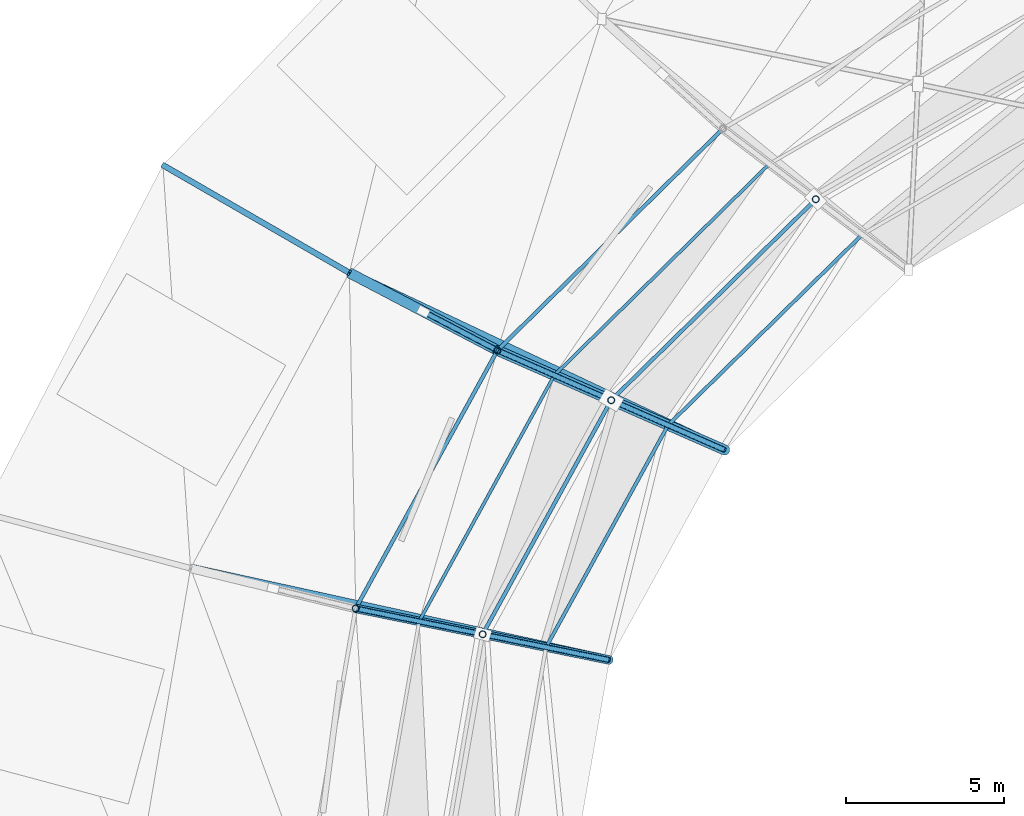
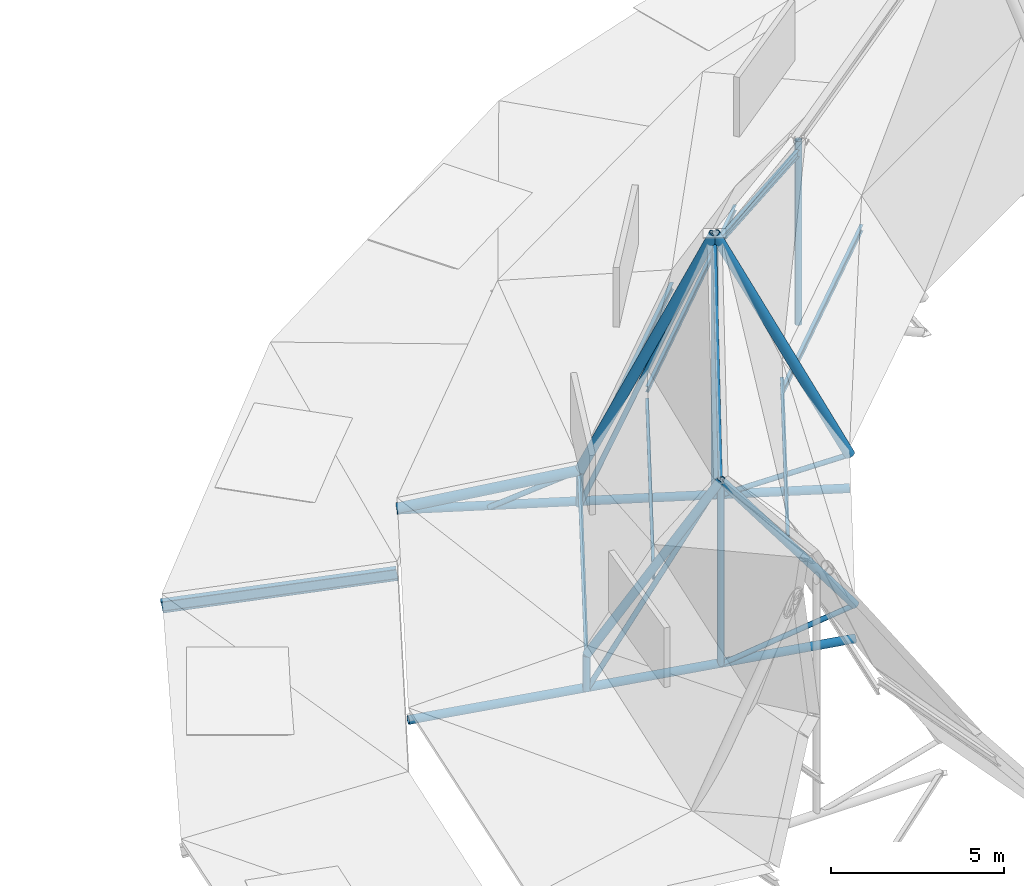
# One storey, part 8 of 36: 23 members, 3 beams.
"""IFC4 building model written with IfcOpenShell, lengths in metres."""

import ifcopenshell
import ifcopenshell.guid

model = None  # the IFC model being written
_history = None  # IfcOwnerHistory: only IFC2X3 demands one
_inside = {}  # id of a spatial element -> (the spatial element, [elements in it])
_under = {}  # id of a project, library or spatial element -> (it, [spatial elements below it])
_declared = {}  # id of a project -> (the project, [libraries it declares])
_typed = {}  # id of a type object -> (the type object, [elements of that type])
_made_of = {}  # id of a material, layer set ... -> (it, [elements and type objects made of it])


def new_model(schema):
    """Start an empty IFC model of exactly this schema.

    Asked for "IFC4X3", IfcOpenShell would pick the latest addendum, in which some entities
    have other attributes; the version numbers below select the first issue.
    IFC2X3 requires an IfcOwnerHistory on every rooted entity: one is made here for all.
    """
    global model, _history
    if schema == "IFC4X3":
        model = ifcopenshell.file(schema_version=(4, 3, 0, 0))
    else:
        model = ifcopenshell.file(schema=schema)
    _inside.clear()
    _under.clear()
    _declared.clear()
    _typed.clear()
    _made_of.clear()
    _history = None
    if model.schema == "IFC2X3":
        org = make("IfcOrganization", Name="unknown")
        user = make(
            "IfcPersonAndOrganization",
            ThePerson=make("IfcPerson", FamilyName="unknown"),
            TheOrganization=org,
        )
        app = make(
            "IfcApplication",
            ApplicationDeveloper=org,
            Version="unknown",
            ApplicationFullName="unknown",
            ApplicationIdentifier="unknown",
        )
        _history = make(
            "IfcOwnerHistory",
            OwningUser=user,
            OwningApplication=app,
            ChangeAction="ADDED",
            CreationDate=0,
        )
    return model


def make(cls, **values):
    """One entity of the class cls with the attributes given. An attribute that is None is left unset."""
    return model.create_entity(
        cls, **{name: value for name, value in values.items() if value is not None}
    )


def rooted(cls, **values):
    """An entity with a GlobalId (a new one), such as an element, a storey or a relation."""
    return make(cls, GlobalId=ifcopenshell.guid.new(), OwnerHistory=_history, **values)


def si_unit(unit_type, name, prefix=None):
    """IfcSIUnit, for example si_unit("LENGTHUNIT", "METRE", prefix="MILLI")."""
    return make("IfcSIUnit", UnitType=unit_type, Prefix=prefix, Name=name)


def assignment(units):
    """IfcUnitAssignment: the units of a project."""
    return None if units is None else make("IfcUnitAssignment", Units=units)


def point(xyz):
    """IfcCartesianPoint."""
    return None if xyz is None else make("IfcCartesianPoint", Coordinates=xyz)


def direction(xyz):
    """IfcDirection."""
    return None if xyz is None else make("IfcDirection", DirectionRatios=xyz)


def frame(location, z_axis=None, x_axis=None):
    """IfcAxis2Placement3D, a coordinate frame: its origin and axes. An axis left out is left unset."""
    return make(
        "IfcAxis2Placement3D",
        Location=point(location),
        Axis=direction(z_axis),
        RefDirection=direction(x_axis),
    )


def frame_2d(location, x_axis=None):
    """IfcAxis2Placement2D, a coordinate frame in the plane: its origin and x axis."""
    return make(
        "IfcAxis2Placement2D", Location=point(location), RefDirection=direction(x_axis)
    )


def origin():
    """The frame at (0, 0, 0) with its axes left unset."""
    return frame((0.0, 0.0, 0.0))


def origin_2d():
    """The frame at (0, 0) in the plane with its x axis left unset."""
    return frame_2d((0.0, 0.0))


def place(relative_to, where):
    """IfcLocalPlacement: puts the frame where relative to a parent placement (None: the world)."""
    return make(
        "IfcLocalPlacement", PlacementRelTo=relative_to, RelativePlacement=where
    )


def context(
    kind, dimensions, precision=None, world=None, true_north=None, identifier=None
):
    """IfcGeometricRepresentationContext, for example the 3D "Model" context."""
    return make(
        "IfcGeometricRepresentationContext",
        ContextIdentifier=identifier,
        ContextType=kind,
        CoordinateSpaceDimension=dimensions,
        Precision=precision,
        WorldCoordinateSystem=world,
        TrueNorth=true_north,
    )


def subcontext(parent, identifier, kind, view, scale=None):
    """IfcGeometricRepresentationSubContext, for example "Body" below "Model"."""
    return make(
        "IfcGeometricRepresentationSubContext",
        ContextIdentifier=identifier,
        ContextType=kind,
        ParentContext=parent,
        TargetScale=scale,
        TargetView=view,
    )


def project(units=None, contexts=None):
    """IfcProject with its units and contexts."""
    return rooted(
        "IfcProject",
        Name="project",
        RepresentationContexts=contexts,
        UnitsInContext=assignment(units),
    )


def spatial(cls, under=None, at=None, **own):
    """A site, building, storey or space (cls), placed at a placement, below another one or the project."""
    s = rooted(cls, ObjectPlacement=at, **own)
    if under is not None:
        _under.setdefault(under.id(), (under, []))[1].append(s)
    return s


def profile(cls, at=None, kind="AREA", **sizes):
    """A parametric profile (cls). Its sizes go by their IFC names, for example OverallWidth=200.0."""
    return make(cls, ProfileType=kind, Position=at, **sizes)


def hollow_circle(**sizes):
    """IfcCircleHollowProfileDef."""
    return profile("IfcCircleHollowProfileDef", **sizes)


def i_section(**sizes):
    """IfcIShapeProfileDef."""
    return profile("IfcIShapeProfileDef", **sizes)


def extrude(swept, where, along, depth):
    """IfcExtrudedAreaSolid: the profile swept, set in the frame where, extruded along a direction by depth."""
    return make(
        "IfcExtrudedAreaSolid",
        SweptArea=swept,
        Position=where,
        ExtrudedDirection=direction(along),
        Depth=depth,
    )


def shape(context_of_items, identifier, shape_type, items):
    """IfcShapeRepresentation: the items that make up one representation, for example the "Body"."""
    return make(
        "IfcShapeRepresentation",
        ContextOfItems=context_of_items,
        RepresentationIdentifier=identifier,
        RepresentationType=shape_type,
        Items=items,
    )


def material(Name=None, Category=None):
    """IfcMaterial."""
    return make("IfcMaterial", Name=Name, Category=Category)


def material_profile(
    of_material, cross_section, Name=None, Category=None, Priority=None
):
    """IfcMaterialProfile: a cross section and its material."""
    return make(
        "IfcMaterialProfile",
        Name=Name,
        Material=of_material,
        Profile=cross_section,
        Priority=Priority,
        Category=Category,
    )


def profile_set(profiles, Name=None, composite=None):
    """IfcMaterialProfileSet."""
    return make(
        "IfcMaterialProfileSet",
        Name=Name,
        MaterialProfiles=profiles,
        CompositeProfile=composite,
    )


def made_of(thing, what):
    """Note that an element or type object is made of a material, layer set ...; save() writes the relation."""
    if what is not None:
        _made_of.setdefault(what.id(), (what, []))[1].append(thing)
    return thing


def type_object(cls, material=None, **own):
    """A type object (cls), such as IfcWallType, which elements share."""
    return made_of(rooted(cls, **own), material)


def element(
    cls,
    number,
    at=None,
    inside=None,
    cuts=None,
    type_object=None,
    material=None,
    context=None,
    identifier="Body",
    shape_type=None,
    held_by="IfcProductDefinitionShape",
    body=None,
    shapes=None,
    **own,
):
    """One element of the class cls, such as IfcWall. Its Tag is "e" and its number.

    at: its placement. inside: the storey or other place that contains it. cuts: it is an
    opening in that element (IfcRelVoidsElement). A single representation is given by context,
    identifier, shape_type and body (its items); several are given by shapes. held_by: the class
    of the entity that holds the representations. save() writes the other relations.
    """
    e = rooted(cls, Tag="e%d" % number, ObjectPlacement=at, **own)
    if body is not None:
        shapes = [shape(context, identifier, shape_type, body)]
    if shapes is not None:
        e.Representation = make(held_by, Representations=shapes)
    if inside is not None:
        _inside.setdefault(inside.id(), (inside, []))[1].append(e)
    if cuts is not None:
        rooted(
            "IfcRelVoidsElement", RelatingBuildingElement=cuts, RelatedOpeningElement=e
        )
    if type_object is not None:
        _typed.setdefault(type_object.id(), (type_object, []))[1].append(e)
    return made_of(e, material)


def aggregate(whole, parts):
    """IfcRelAggregates: a whole, such as a stair, and the parts it consists of."""
    return rooted("IfcRelAggregates", RelatingObject=whole, RelatedObjects=parts)


def save(model, path):
    """Write the relations noted so far, then the file.

    IfcRelAggregates (storeys below a building ...), IfcRelContainedInSpatialStructure (elements
    in a storey), IfcRelDefinesByType, IfcRelAssociatesMaterial and IfcRelDeclares: one each for
    every whole, place, type object, material and project.
    """
    for whole, parts in _under.values():
        aggregate(whole, parts)
    for where, things in _inside.values():
        rooted(
            "IfcRelContainedInSpatialStructure",
            RelatedElements=things,
            RelatingStructure=where,
        )
    for kind, things in _typed.values():
        rooted("IfcRelDefinesByType", RelatedObjects=things, RelatingType=kind)
    for what, things in _made_of.values():
        rooted("IfcRelAssociatesMaterial", RelatedObjects=things, RelatingMaterial=what)
    for by, libraries in _declared.values():
        rooted("IfcRelDeclares", RelatingContext=by, RelatedDefinitions=libraries)
    model.write(path)


model = new_model("IFC4")

# Units and contexts
model_context = context("Model", 3, precision=1e-05, world=origin(), true_north=direction((0.0, 1.0)))
body_context = subcontext(model_context, "Body", "Model", "MODEL_VIEW")
ifc_project = project(units=[si_unit("LENGTHUNIT", "METRE"), si_unit("AREAUNIT", "SQUARE_METRE"), si_unit("VOLUMEUNIT", "CUBIC_METRE"), si_unit("PLANEANGLEUNIT", "RADIAN"), si_unit("MASSUNIT", "GRAM", prefix="KILO")], contexts=[model_context])

# Site, building, storey
site_placement = place(None, origin())
site = spatial("IfcSite", under=ifc_project, at=site_placement, CompositionType="ELEMENT")
building_placement = place(site_placement, origin())
building = spatial("IfcBuilding", under=site, at=building_placement, Name="Kildeholm Park Wholesale Market", CompositionType="ELEMENT")
storey_placement = place(building_placement, frame((0.0, 0.0, 17.39990234375)))
storey = spatial("IfcBuildingStorey", under=building, at=storey_placement, Name="Roof", CompositionType="ELEMENT", Elevation=17.39990234375)

# Beams
ifc_material = material(Name="Steel S355", Category="steel")
ifc_material_profile_1 = material_profile(ifc_material, i_section(OverallWidth=0.179931640625, OverallDepth=0.39990234375, WebThickness=0.008544921875, FlangeThickness=0.013427734375, FilletRadius=0.02099609375, at=origin_2d()), Name="IPE 400")
ifc_profile_set_1 = profile_set([ifc_material_profile_1], Name="Steel S355")
beam_type_1 = type_object("IfcBeamType", Name="Beam B-P01 IPE 400", PredefinedType="BEAM", material=ifc_profile_set_1)
beam_1_placement = place(storey_placement, frame((49.636962890625, 112.25, -8.0244140625), z_axis=(0.853906130286, -0.492993523087, 0.166738438442), x_axis=(0.499992841449, 0.866029536736, 0.0)))
element("IfcBeam", 1, at=beam_1_placement, inside=storey, type_object=beam_type_1, Name="Beam BM-V1-RF-S1-10 BM-0279", PredefinedType="BEAM", context=body_context, shape_type="SweptSolid", body=[
    extrude(i_section(OverallWidth=0.179931640625, OverallDepth=0.39990234375, WebThickness=0.008544921875, FlangeThickness=0.013427734375, FilletRadius=0.02099609375, at=origin_2d()), origin(), (0.0, 0.0, 1.0), 6.896484375),
])
ifc_material_profile_2 = material_profile(ifc_material, hollow_circle(Radius=0.136474609375, WallThickness=0.01611328125, at=origin_2d()), Name="CHS 273x16")
ifc_profile_set_2 = profile_set([ifc_material_profile_2], Name="Steel S355")
beam_type_2 = type_object("IfcBeamType", Name="Beam B-T01 CHS 273x16", PredefinedType="BEAM", material=ifc_profile_set_2)
beam_2_placement = place(storey_placement, frame((55.52587890625, 108.85009765625, -4.6298828125), z_axis=(0.904317894242, -0.426859632846, 0.0), x_axis=(0.426859632846, 0.904317894242, 0.0)))
element("IfcBeam", 2, at=beam_2_placement, inside=storey, type_object=beam_type_2, Name="Beam BM-V1-TIE-10 BM-0284", PredefinedType="BEAM", context=body_context, shape_type="SweptSolid", body=[
    extrude(hollow_circle(Radius=0.136474609375, WallThickness=0.01611328125, at=origin_2d()), origin(), (0.0, 0.0, 1.0), 13.119384765625),
])
beam_3_placement = place(storey_placement, frame((50.510986328125, 99.51611328125, -4.6298828125), z_axis=(0.976846137752, -0.213943037181, 0.0), x_axis=(0.213943037181, 0.976846137752, 0.0)))
element("IfcBeam", 3, at=beam_3_placement, inside=storey, type_object=beam_type_2, Name="Beam BM-V1-TIE-11 BM-0290", PredefinedType="BEAM", context=body_context, shape_type="SweptSolid", body=[
    extrude(hollow_circle(Radius=0.136474609375, WallThickness=0.01611328125, at=origin_2d()), origin(), (0.0, 0.0, 1.0), 13.546630859375),
])

# Members
ifc_material_profile_3 = material_profile(ifc_material, i_section(OverallWidth=0.10009765625, OverallDepth=0.199951171875, WebThickness=0.005615234375, FlangeThickness=0.008544921875, FilletRadius=0.011962890625, at=origin_2d()), Name="IPE 200")
ifc_profile_set_3 = profile_set([ifc_material_profile_3], Name="Steel S355")
member_type_1 = type_object("IfcMemberType", Name="Member PR-01 IPE 200", PredefinedType="PURLIN", material=ifc_profile_set_3)
member_1_placement = place(storey_placement, frame((68.78955078125, 112.285888671875, -0.691650390625), z_axis=(-0.713234317827, -0.70092567928, 0.0), x_axis=(0.70092567928, -0.713234317827, 0.0)))
element("IfcMember", 4, at=member_1_placement, inside=storey, type_object=member_type_1, Name="Member PR-V1-MDO-09 MEM-0128", PredefinedType="PURLIN", context=body_context, shape_type="SweptSolid", body=[
    extrude(i_section(OverallWidth=0.10009765625, OverallDepth=0.199951171875, WebThickness=0.005615234375, FlangeThickness=0.008544921875, FilletRadius=0.011962890625, at=origin_2d()), origin(), (0.0, 0.0, 1.0), 9.520751953125),
])
member_2_placement = place(storey_placement, frame((61.9990234375, 105.612548828125, -1.0849609375), z_axis=(-0.481311912793, -0.876549395415, 0.0), x_axis=(0.876549395415, -0.481311912793, 0.0)))
element("IfcMember", 5, at=member_2_placement, inside=storey, type_object=member_type_1, Name="Member PR-V1-MDO-10 MEM-0140", PredefinedType="PURLIN", context=body_context, shape_type="SweptSolid", body=[
    extrude(i_section(OverallWidth=0.10009765625, OverallDepth=0.199951171875, WebThickness=0.005615234375, FlangeThickness=0.008544921875, FilletRadius=0.011962890625, at=origin_2d()), origin(), (0.0, 0.0, 1.0), 8.866455078125),
])
ifc_material_profile_4 = material_profile(ifc_material, i_section(OverallWidth=0.1201171875, OverallDepth=0.239990234375, WebThickness=0.006103515625, FlangeThickness=0.009765625, FilletRadius=0.014892578125, at=origin_2d()), Name="IPE 240")
ifc_profile_set_4 = profile_set([ifc_material_profile_4], Name="Steel S355")
member_type_2 = type_object("IfcMemberType", Name="Member PR-02 IPE 240", PredefinedType="PURLIN", material=ifc_profile_set_4)
member_3_placement = place(storey_placement, frame((67.322021484375, 113.39990234375, -3.6083984375), z_axis=(-0.713096204455, -0.701066190307, 0.0), x_axis=(0.701066190307, -0.713096204455, 0.0)))
element("IfcMember", 6, at=member_3_placement, inside=storey, type_object=member_type_2, Name="Member PR-V1-STP2-09 MEM-0126", PredefinedType="PURLIN", context=body_context, shape_type="SweptSolid", body=[
    extrude(i_section(OverallWidth=0.1201171875, OverallDepth=0.239990234375, WebThickness=0.006103515625, FlangeThickness=0.009765625, FilletRadius=0.014892578125, at=origin_2d()), origin(), (0.0, 0.0, 1.0), 9.98486328125),
])
member_4_placement = place(storey_placement, frame((70.257080078125, 111.172119140625, 1.418701171875), z_axis=(-0.681551980746, -0.66952535029, 0.295334899497), x_axis=(0.700784698556, -0.713372838191, 0.0)))
element("IfcMember", 7, at=member_4_placement, inside=storey, type_object=member_type_2, Name="Member PR-V1-CRWN-09 MEM-0127", PredefinedType="PURLIN", context=body_context, shape_type="SweptSolid", body=[
    extrude(i_section(OverallWidth=0.1201171875, OverallDepth=0.239990234375, WebThickness=0.006103515625, FlangeThickness=0.009765625, FilletRadius=0.014892578125, at=origin_2d()), origin(), (0.0, 0.0, 1.0), 9.47998046875),
])
member_5_placement = place(storey_placement, frame((60.201904296875, 106.39990234375, -3.586669921875), z_axis=(-0.481203038707, -0.876609169208, 0.0), x_axis=(0.876609169208, -0.481203038707, 0.0)))
element("IfcMember", 8, at=member_5_placement, inside=storey, type_object=member_type_2, Name="Member PR-V1-STP2-10 MEM-0138", PredefinedType="PURLIN", context=body_context, shape_type="SweptSolid", body=[
    extrude(i_section(OverallWidth=0.1201171875, OverallDepth=0.239990234375, WebThickness=0.006103515625, FlangeThickness=0.009765625, FilletRadius=0.014892578125, at=origin_2d()), origin(), (0.0, 0.0, 1.0), 9.29931640625),
])
member_6_placement = place(storey_placement, frame((63.7958984375, 104.824951171875, 4.250244140625), z_axis=(-0.456875430623, -0.831849023572, -0.315106399292), x_axis=(0.876501192801, -0.481399687389, 0.0)))
element("IfcMember", 9, at=member_6_placement, inside=storey, type_object=member_type_2, Name="Member PR-V1-CRWN-10 MEM-0139", PredefinedType="PURLIN", context=body_context, shape_type="SweptSolid", body=[
    extrude(i_section(OverallWidth=0.1201171875, OverallDepth=0.239990234375, WebThickness=0.006103515625, FlangeThickness=0.009765625, FilletRadius=0.014892578125, at=origin_2d()), origin(), (0.0, 0.0, 1.0), 8.885986328125),
])
ifc_material_profile_5 = material_profile(ifc_material, i_section(OverallWidth=0.110107421875, OverallDepth=0.219970703125, WebThickness=0.005859375, FlangeThickness=0.00927734375, FilletRadius=0.011962890625, at=origin_2d()), Name="IPE 220")
ifc_profile_set_5 = profile_set([ifc_material_profile_5], Name="Steel S355")
member_type_3 = type_object("IfcMemberType", Name="Member PR-03 IPE 220", PredefinedType="PURLIN", material=ifc_profile_set_5)
member_7_placement = place(storey_placement, frame((71.72412109375, 110.05859375, -1.072998046875), z_axis=(-0.713484428473, -0.700671085693, 0.0), x_axis=(0.700671085693, -0.713484428473, 0.0)))
element("IfcMember", 10, at=member_7_placement, inside=storey, type_object=member_type_3, Name="Member PR-V1-MDI-09 MEM-0129", PredefinedType="PURLIN", context=body_context, shape_type="SweptSolid", body=[
    extrude(i_section(OverallWidth=0.110107421875, OverallDepth=0.219970703125, WebThickness=0.005859375, FlangeThickness=0.00927734375, FilletRadius=0.011962890625, at=origin_2d()), origin(), (0.0, 0.0, 1.0), 8.59326171875),
])
member_8_placement = place(storey_placement, frame((65.593017578125, 104.03759765625, -0.662109375), z_axis=(-0.481564964074, -0.876410397803, 0.0), x_axis=(0.876410397803, -0.481564964074, 0.0)))
element("IfcMember", 11, at=member_8_placement, inside=storey, type_object=member_type_3, Name="Member PR-V1-MDI-10 MEM-0141", PredefinedType="PURLIN", context=body_context, shape_type="SweptSolid", body=[
    extrude(i_section(OverallWidth=0.110107421875, OverallDepth=0.219970703125, WebThickness=0.005859375, FlangeThickness=0.00927734375, FilletRadius=0.011962890625, at=origin_2d()), origin(), (0.0, 0.0, 1.0), 8.0009765625),
])
ifc_material_profile_6 = material_profile(ifc_material, hollow_circle(Radius=0.084228515625, WallThickness=0.010009765625, at=origin_2d()), Name="CHS 168.3x10")
ifc_profile_set_6 = profile_set([ifc_material_profile_6], Name="Steel S355")
member_type_4 = type_object("IfcMemberType", Name="Member TB-01 CHS 168.3x10", PredefinedType="BRACE", material=ifc_profile_set_6)
member_9_placement = place(storey_placement, frame((57.864013671875, 107.625, -4.6298828125), z_axis=(0.801693118644, -0.420101928713, 0.425208787551), x_axis=(0.464152153462, 0.885755484565, 0.0)))
element("IfcMember", 12, at=member_9_placement, inside=storey, type_object=member_type_4, Name="Member TR-V1-10-WB1 MEM-0135", PredefinedType="BRACE", context=body_context, shape_type="SweptSolid", body=[
    extrude(hollow_circle(Radius=0.084228515625, WallThickness=0.010009765625, at=origin_2d()), origin(), (0.0, 0.0, 1.0), 2.916259765625),
])
member_10_placement = place(storey_placement, frame((60.201904296875, 106.39990234375, -4.6298828125), z_axis=(0.356379261851, -0.156171633598, 0.921197178992), x_axis=(0.401370362449, 0.915915843376, 0.0)))
element("IfcMember", 13, at=member_10_placement, inside=storey, type_object=member_type_4, Name="Member TR-V1-10-WB2 MEM-0136", PredefinedType="BRACE", context=body_context, shape_type="SweptSolid", body=[
    extrude(hollow_circle(Radius=0.084228515625, WallThickness=0.010009765625, at=origin_2d()), origin(), (0.0, 0.0, 1.0), 10.084716796875),
])
member_11_placement = place(storey_placement, frame((63.7958984375, 104.824951171875, -4.6298828125), z_axis=(0.87649984614, -0.384097582192, 0.290201769587), x_axis=(0.401370362449, 0.915915843376, 0.0)))
element("IfcMember", 14, at=member_11_placement, inside=storey, type_object=member_type_4, Name="Member TR-V1-10-WB3 MEM-0137", PredefinedType="BRACE", context=body_context, shape_type="SweptSolid", body=[
    extrude(hollow_circle(Radius=0.084228515625, WallThickness=0.010009765625, at=origin_2d()), origin(), (0.0, 0.0, 1.0), 4.100341796875),
])
member_12_placement = place(storey_placement, frame((55.72705078125, 98.248046875, -4.6298828125), z_axis=(0.522567771104, -0.106225639117, 0.845954513078), x_axis=(0.199202307798, 0.979958387161, 0.0)))
element("IfcMember", 15, at=member_12_placement, inside=storey, type_object=member_type_4, Name="Member TR-V1-11-WB2 MEM-0148", PredefinedType="BRACE", context=body_context, shape_type="SweptSolid", body=[
    extrude(hollow_circle(Radius=0.084228515625, WallThickness=0.010009765625, at=origin_2d()), origin(), (0.0, 0.0, 1.0), 7.671875),
])
member_13_placement = place(storey_placement, frame((59.736083984375, 97.43310546875, -4.6298828125), z_axis=(0.940919042556, -0.191382107888, 0.279363999355), x_axis=(0.199317895767, 0.979934883769, 0.0)))
element("IfcMember", 16, at=member_13_placement, inside=storey, type_object=member_type_4, Name="Member TR-V1-11-WB3 MEM-0149", PredefinedType="BRACE", context=body_context, shape_type="SweptSolid", body=[
    extrude(hollow_circle(Radius=0.084228515625, WallThickness=0.010009765625, at=origin_2d()), origin(), (0.0, 0.0, 1.0), 4.259521484375),
])
ifc_material_profile_7 = material_profile(ifc_material, hollow_circle(Radius=0.109619140625, WallThickness=0.012451171875, at=origin_2d()), Name="CHS 219.1x12.5")
ifc_profile_set_7 = profile_set([ifc_material_profile_7], Name="Steel S355")
member_type_5 = type_object("IfcMemberType", Name="Member TB-02 CHS 219.1x12.5", PredefinedType="BRACE", material=ifc_profile_set_7)
member_14_placement = place(storey_placement, frame((70.257080078125, 111.172119140625, -4.6298828125), z_axis=(0.0, 0.0, 1.0), x_axis=(1.0, 0.0, 0.0)))
element("IfcMember", 17, at=member_14_placement, inside=storey, type_object=member_type_5, Name="Member TR-V1-09-VT2 MEM-0122", PredefinedType="BRACE", context=body_context, shape_type="SweptSolid", body=[
    extrude(hollow_circle(Radius=0.109619140625, WallThickness=0.012451171875, at=origin_2d()), origin(), (0.0, 0.0, 1.0), 6.489990234375),
])
member_15_placement = place(storey_placement, frame((60.201904296875, 106.39990234375, -4.6298828125), z_axis=(0.0, 0.0, 1.0), x_axis=(1.0, 0.0, 0.0)))
element("IfcMember", 18, at=member_15_placement, inside=storey, type_object=member_type_5, Name="Member TR-V1-10-VT1 MEM-0133", PredefinedType="BRACE", context=body_context, shape_type="SweptSolid", body=[
    extrude(hollow_circle(Radius=0.109619140625, WallThickness=0.012451171875, at=origin_2d()), origin(), (0.0, 0.0, 1.0), 1.239990234375),
])
member_16_placement = place(storey_placement, frame((63.7958984375, 104.824951171875, -4.6298828125), z_axis=(0.0, 0.0, 1.0), x_axis=(1.0, 0.0, 0.0)))
element("IfcMember", 19, at=member_16_placement, inside=storey, type_object=member_type_5, Name="Member TR-V1-10-VT2 MEM-0134", PredefinedType="BRACE", context=body_context, shape_type="SweptSolid", body=[
    extrude(hollow_circle(Radius=0.109619140625, WallThickness=0.012451171875, at=origin_2d()), origin(), (0.0, 0.0, 1.0), 9.2900390625),
])
member_17_placement = place(storey_placement, frame((55.72705078125, 98.248046875, -4.6298828125), z_axis=(0.0, 0.0, 1.0), x_axis=(1.0, 0.0, 0.0)))
element("IfcMember", 20, at=member_17_placement, inside=storey, type_object=member_type_5, Name="Member TR-V1-11-VT1 MEM-0145", PredefinedType="BRACE", context=body_context, shape_type="SweptSolid", body=[
    extrude(hollow_circle(Radius=0.109619140625, WallThickness=0.012451171875, at=origin_2d()), origin(), (0.0, 0.0, 1.0), 1.239990234375),
])
member_18_placement = place(storey_placement, frame((59.736083984375, 97.43310546875, -4.6298828125), z_axis=(0.0, 0.0, 1.0), x_axis=(1.0, 0.0, 0.0)))
element("IfcMember", 21, at=member_18_placement, inside=storey, type_object=member_type_5, Name="Member TR-V1-11-VT2 MEM-0146", PredefinedType="BRACE", context=body_context, shape_type="SweptSolid", body=[
    extrude(hollow_circle(Radius=0.109619140625, WallThickness=0.012451171875, at=origin_2d()), origin(), (0.0, 0.0, 1.0), 6.489990234375),
])
ifc_material_profile_8 = material_profile(ifc_material, hollow_circle(Radius=0.161865234375, WallThickness=0.01611328125, at=origin_2d()), Name="CHS 323.9x16")
ifc_profile_set_8 = profile_set([ifc_material_profile_8], Name="Steel S355")
member_type_6 = type_object("IfcMemberType", Name="Member TC-01 CHS 323.9x16", PredefinedType="CHORD", material=ifc_profile_set_8)
member_19_placement = place(storey_placement, frame((55.52587890625, 108.85009765625, -4.579833984375), z_axis=(0.864086026653, -0.4527733182, 0.219890110892), x_axis=(0.464133140114, 0.885765447649, 0.0)))
element("IfcMember", 22, at=member_19_placement, inside=storey, type_object=member_type_6, Name="Member TR-V1-10-TC1 MEM-0130", PredefinedType="CHORD", context=body_context, shape_type="SweptSolid", body=[
    extrude(hollow_circle(Radius=0.161865234375, WallThickness=0.01611328125, at=origin_2d()), origin(), (0.0, 0.0, 1.0), 5.41162109375),
])
member_20_placement = place(storey_placement, frame((60.201904296875, 106.39990234375, -3.389892578125), z_axis=(0.401318045198, -0.175864595447, 0.898896807574), x_axis=(0.401370362449, 0.915915843376, 0.0)))
element("IfcMember", 23, at=member_20_placement, inside=storey, type_object=member_type_6, Name="Member TR-V1-10-TC2 MEM-0131", PredefinedType="CHORD", context=body_context, shape_type="SweptSolid", body=[
    extrude(hollow_circle(Radius=0.161865234375, WallThickness=0.01611328125, at=origin_2d()), origin(), (0.0, 0.0, 1.0), 8.95556640625),
])
member_21_placement = place(storey_placement, frame((63.7958984375, 104.824951171875, 4.66015625), z_axis=(0.399310875787, -0.174985018661, -0.899961703476), x_axis=(0.401370362449, 0.915915843376, 0.0)))
element("IfcMember", 24, at=member_21_placement, inside=storey, type_object=member_type_6, Name="Member TR-V1-10-TC3 MEM-0132", PredefinedType="CHORD", context=body_context, shape_type="SweptSolid", body=[
    extrude(hollow_circle(Radius=0.161865234375, WallThickness=0.01611328125, at=origin_2d()), origin(), (0.0, 0.0, 1.0), 9.00048828125),
])
ifc_material_profile_9 = material_profile(ifc_material, hollow_circle(Radius=0.136474609375, WallThickness=0.01611328125, at=origin_2d()), Name="CHS 273x16")
ifc_profile_set_9 = profile_set([ifc_material_profile_9], Name="Steel S355")
member_type_7 = type_object("IfcMemberType", Name="Member TC-02 CHS 273x16", PredefinedType="CHORD", material=ifc_profile_set_9)
member_22_placement = place(storey_placement, frame((55.72705078125, 98.248046875, -3.389892578125), z_axis=(0.60234152746, -0.122441752552, 0.78879192537), x_axis=(0.199202307798, 0.979958387161, 0.0)))
element("IfcMember", 25, at=member_22_placement, inside=storey, type_object=member_type_7, Name="Member TR-V1-11-TC2 MEM-0143", PredefinedType="CHORD", context=body_context, shape_type="SweptSolid", body=[
    extrude(hollow_circle(Radius=0.136474609375, WallThickness=0.01611328125, at=origin_2d()), origin(), (0.0, 0.0, 1.0), 6.65576171875),
])
member_23_placement = place(storey_placement, frame((59.736083984375, 97.43310546875, 1.860107421875), z_axis=(0.598663896267, -0.121767711357, -0.791690699565), x_axis=(0.199317895767, 0.979934883769, 0.0)))
element("IfcMember", 26, at=member_23_placement, inside=storey, type_object=member_type_7, Name="Member TR-V1-11-TC3 MEM-0144", PredefinedType="CHORD", context=body_context, shape_type="SweptSolid", body=[
    extrude(hollow_circle(Radius=0.136474609375, WallThickness=0.01611328125, at=origin_2d()), origin(), (0.0, 0.0, 1.0), 6.694580078125),
])

save(model, "model.ifc")
